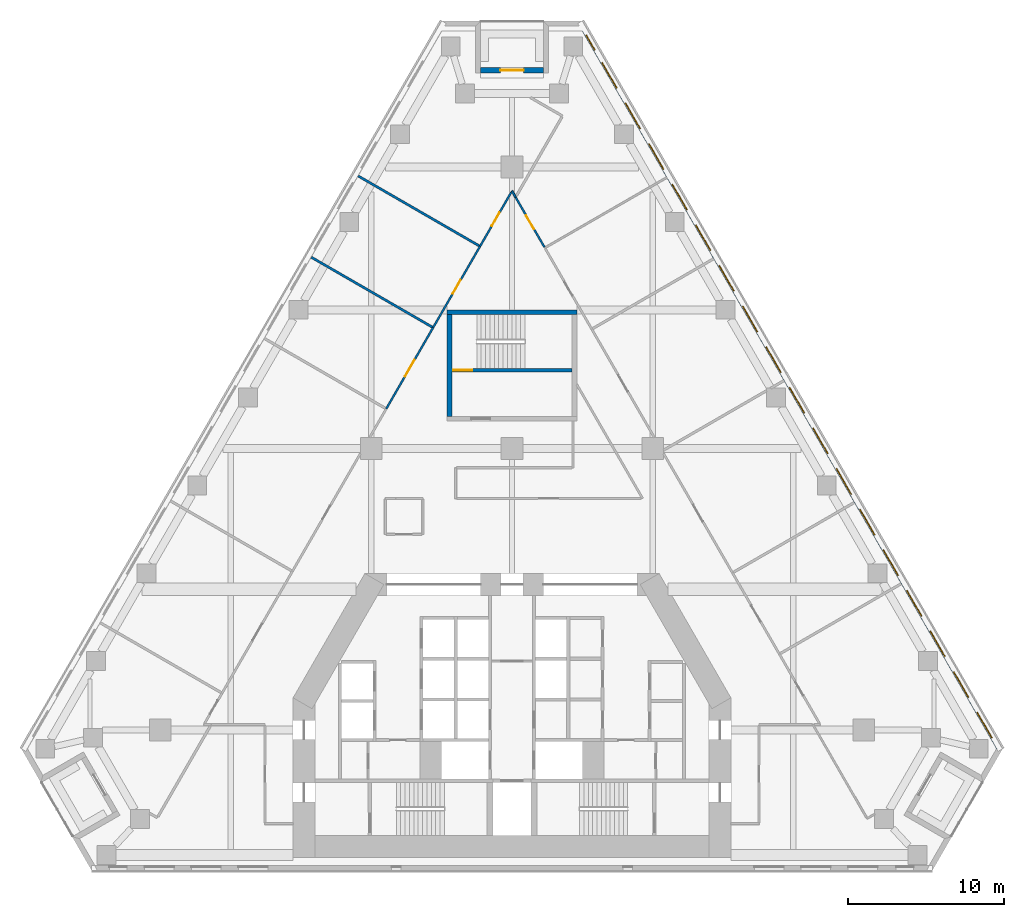
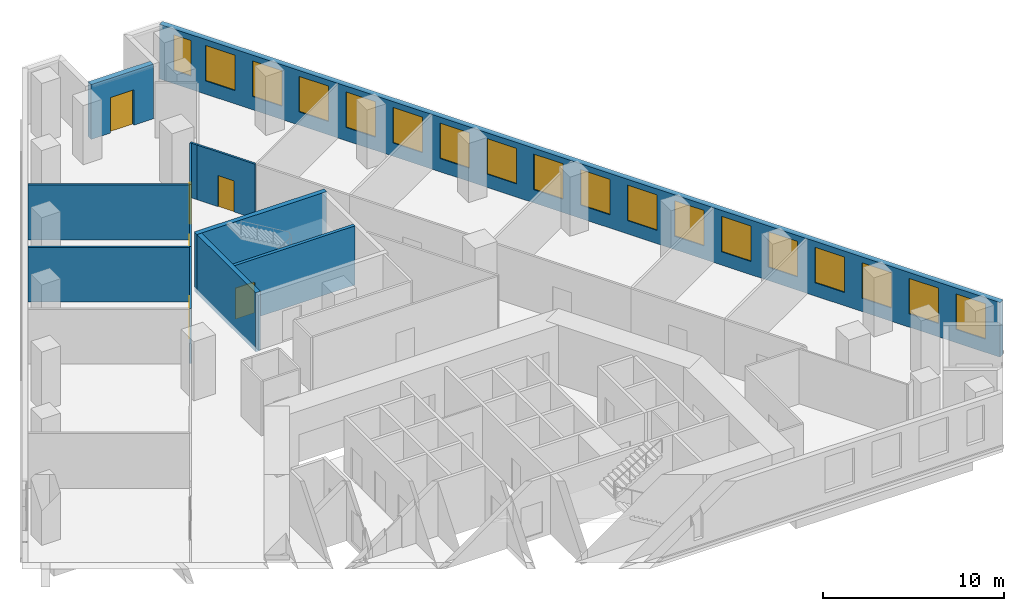
# One storey, part 7 of 9: 18 windows, 12 walls, 6 doors, 24 openings.
"""IFC4 building model written with IfcOpenShell, lengths in metres."""

from ifc_helpers import new_model, si_unit, direction, frame, frame_2d, origin, place, context, subcontext, project, spatial, rectangle, extrude, material, layer, layer_set, type_object, element, fill, save


model = new_model("IFC4")

# Units and contexts
model_context = context("Model", 3, precision=1e-05, world=origin(), true_north=direction((0.0, 1.0)))
body_context = subcontext(model_context, "Body", "Model", "MODEL_VIEW")
ifc_project = project(units=[si_unit("LENGTHUNIT", "METRE"), si_unit("AREAUNIT", "SQUARE_METRE"), si_unit("VOLUMEUNIT", "CUBIC_METRE"), si_unit("PLANEANGLEUNIT", "RADIAN"), si_unit("MASSUNIT", "GRAM", prefix="KILO")], contexts=[model_context])

# Site, building, storey
site_placement = place(None, origin())
site = spatial("IfcSite", under=ifc_project, at=site_placement, CompositionType="ELEMENT")
building_placement = place(site_placement, origin())
building = spatial("IfcBuilding", under=site, at=building_placement, Name="Fogline Exchange Tower", CompositionType="ELEMENT")
storey_placement = place(building_placement, frame((0.0, 0.0, 72.89990234375)))
storey = spatial("IfcBuildingStorey", under=building, at=storey_placement, Name="L15", CompositionType="ELEMENT", Elevation=72.89990234375)

# Wall, opening, door
ifc_material_1 = material(Name="Concrete C40", Category="concrete")
ifc_layer_1 = layer(ifc_material_1, 0.199951171875)
ifc_layer_set_1 = layer_set([ifc_layer_1], Name="CW20R")
wall_type_1 = type_object("IfcWallType", Name="CW20R", PredefinedType="SOLIDWALL", material=ifc_layer_set_1)
wall_1_placement = place(storey_placement, frame((-3.85009765625, 32.007080078125, -0.2998046875), z_axis=(0.0, 0.0, 1.0), x_axis=(1.0, 0.0, 0.0)))
wall_1 = element("IfcWall", 1, at=wall_1_placement, inside=storey, type_object=wall_type_1, Name="Stair enclosure wall ST3", PredefinedType="SOLIDWALL", context=body_context, shape_type="SweptSolid", body=[
    extrude(rectangle(XDim=7.7001953125, YDim=0.199951171875, at=frame_2d((3.85009765625, 0.0))), origin(), (0.0, 0.0, 1.0), 4.0),
])
opening_1_placement = place(wall_1_placement, frame((0.10009765625, 0.0, 0.300048828125)))
opening_1 = element("IfcOpeningElement", 2, at=opening_1_placement, cuts=wall_1, Name="Opening T04-C022", PredefinedType="OPENING", context=body_context, shape_type="SweptSolid", body=[
    extrude(rectangle(XDim=1.199951171875, YDim=2.10009765625, at=frame_2d((0.60009765625, 1.050048828125))), frame((0.0, 0.10986328125, 0.0), z_axis=(0.0, -1.0, 0.0), x_axis=(1.0, 0.0, 0.0)), (0.0, 0.0, 1.0), 0.219970703125),
])
ifc_material_2 = material(Name="Steel and timber fire door", Category="steel")
door_type_1 = type_object("IfcDoorType", Name="D-ST1", OperationType="SINGLE_SWING_LEFT", PredefinedType="DOOR", material=ifc_material_2)
door_1_placement = place(opening_1_placement, origin())
door_1 = element("IfcDoor", 3, at=door_1_placement, inside=storey, type_object=door_type_1, Name="Stair door ST3", OperationType="SINGLE_SWING_LEFT", OverallHeight=2.10009765625, OverallWidth=1.199951171875, PredefinedType="DOOR", context=body_context, shape_type="SweptSolid", body=[
    extrude(rectangle(XDim=1.199951171875, YDim=2.10009765625, at=frame_2d((0.60009765625, 1.050048828125))), frame((0.0, 0.02490234375, 0.0), z_axis=(0.0, -1.0, 0.0), x_axis=(1.0, 0.0, 0.0)), (0.0, 0.0, 1.0), 0.050048828125),
])
fill(opening_1, door_1)

# Walls
ifc_layer_2 = layer(ifc_material_1, 0.300048828125)
ifc_layer_set_2 = layer_set([ifc_layer_2], Name="CW30")
wall_type_2 = type_object("IfcWallType", Name="CW30", PredefinedType="SOLIDWALL", material=ifc_layer_set_2)
wall_2_placement = place(storey_placement, frame((-4.14990234375, 35.70703125, -0.2998046875), z_axis=(0.0, 0.0, 1.0), x_axis=(1.0, 0.0, 0.0)))
element("IfcWall", 4, at=wall_2_placement, inside=storey, type_object=wall_type_2, Name="Stair enclosure wall ST3", PredefinedType="SOLIDWALL", context=body_context, shape_type="SweptSolid", body=[
    extrude(rectangle(XDim=8.2998046875, YDim=0.300048828125, at=frame_2d((4.14990234375, 0.0))), origin(), (0.0, 0.0, 1.0), 4.0),
])
wall_3_placement = place(storey_placement, frame((-4.0, 29.056884765625, -0.2998046875), z_axis=(0.0, 0.0, 1.0), x_axis=(0.0, 1.0, 0.0)))
element("IfcWall", 5, at=wall_3_placement, inside=storey, type_object=wall_type_2, Name="Stair enclosure wall ST3", PredefinedType="SOLIDWALL", context=body_context, shape_type="SweptSolid", body=[
    extrude(rectangle(XDim=6.5, YDim=0.300048828125, at=frame_2d((3.25, 0.0))), origin(), (0.0, 0.0, 1.0), 4.0),
])

# Wall, openings, windows
ifc_material_3 = material(Name="Brick masonry", Category="masonry")
ifc_layer_3 = layer(ifc_material_3, 0.340087890625)
ifc_layer_set_3 = layer_set([ifc_layer_3], Name="FW1")
wall_type_3 = type_object("IfcWallType", Name="FW1", PredefinedType="SOLIDWALL", material=ifc_layer_set_3)
wall_4_placement = place(storey_placement, frame((31.235595703125, 7.709228515625, 0.0), z_axis=(0.0, 0.0, 1.0), x_axis=(-0.499999171277, 0.866025882247, 0.0)))
wall_4 = element("IfcWall", 6, at=wall_4_placement, inside=storey, type_object=wall_type_3, Name="Brick wall L15 E", PredefinedType="SOLIDWALL", context=body_context, shape_type="SweptSolid", body=[
    extrude(rectangle(XDim=53.765625, YDim=0.340087890625, at=frame_2d((26.8828125, 0.0))), origin(), (0.0, 0.0, 1.0), 3.7001953125),
])
opening_2_placement = place(wall_4_placement, frame((0.94140625, 0.0, 0.89990234375)))
opening_2 = element("IfcOpeningElement", 7, at=opening_2_placement, cuts=wall_4, Name="Opening W1", PredefinedType="OPENING", context=body_context, shape_type="SweptSolid", body=[
    extrude(rectangle(XDim=1.885009765625, YDim=2.39990234375, at=frame_2d((0.9423828125, 1.199951171875))), frame((0.0, 0.18017578125, 0.0), z_axis=(0.0, -1.0, 0.0), x_axis=(1.0, 0.0, 0.0)), (0.0, 0.0, 1.0), 0.360107421875),
])
opening_3_placement = place(wall_4_placement, frame((3.94140625, 0.0, 0.89990234375)))
opening_3 = element("IfcOpeningElement", 8, at=opening_3_placement, cuts=wall_4, Name="Opening W1", PredefinedType="OPENING", context=body_context, shape_type="SweptSolid", body=[
    extrude(rectangle(XDim=1.885009765625, YDim=2.39990234375, at=frame_2d((0.9423828125, 1.199951171875))), frame((0.0, 0.18017578125, 0.0), z_axis=(0.0, -1.0, 0.0), x_axis=(1.0, 0.0, 0.0)), (0.0, 0.0, 1.0), 0.360107421875),
])
opening_4_placement = place(wall_4_placement, frame((6.94140625, 0.0, 0.89990234375)))
opening_4 = element("IfcOpeningElement", 9, at=opening_4_placement, cuts=wall_4, Name="Opening W1", PredefinedType="OPENING", context=body_context, shape_type="SweptSolid", body=[
    extrude(rectangle(XDim=1.885009765625, YDim=2.39990234375, at=frame_2d((0.9423828125, 1.199951171875))), frame((0.0, 0.18017578125, 0.0), z_axis=(0.0, -1.0, 0.0), x_axis=(1.0, 0.0, 0.0)), (0.0, 0.0, 1.0), 0.360107421875),
])
opening_5_placement = place(wall_4_placement, frame((9.94140625, 0.0, 0.89990234375)))
opening_5 = element("IfcOpeningElement", 10, at=opening_5_placement, cuts=wall_4, Name="Opening W1", PredefinedType="OPENING", context=body_context, shape_type="SweptSolid", body=[
    extrude(rectangle(XDim=1.885009765625, YDim=2.39990234375, at=frame_2d((0.9423828125, 1.199951171875))), frame((0.0, 0.18017578125, 0.0), z_axis=(0.0, -1.0, 0.0), x_axis=(1.0, 0.0, 0.0)), (0.0, 0.0, 1.0), 0.360107421875),
])
opening_6_placement = place(wall_4_placement, frame((12.94140625, 0.0, 0.89990234375)))
opening_6 = element("IfcOpeningElement", 11, at=opening_6_placement, cuts=wall_4, Name="Opening W1", PredefinedType="OPENING", context=body_context, shape_type="SweptSolid", body=[
    extrude(rectangle(XDim=1.885009765625, YDim=2.39990234375, at=frame_2d((0.9423828125, 1.199951171875))), frame((0.0, 0.18017578125, 0.0), z_axis=(0.0, -1.0, 0.0), x_axis=(1.0, 0.0, 0.0)), (0.0, 0.0, 1.0), 0.360107421875),
])
opening_7_placement = place(wall_4_placement, frame((15.94140625, 0.0, 0.89990234375)))
opening_7 = element("IfcOpeningElement", 12, at=opening_7_placement, cuts=wall_4, Name="Opening W1", PredefinedType="OPENING", context=body_context, shape_type="SweptSolid", body=[
    extrude(rectangle(XDim=1.885009765625, YDim=2.39990234375, at=frame_2d((0.9423828125, 1.199951171875))), frame((0.0, 0.18017578125, 0.0), z_axis=(0.0, -1.0, 0.0), x_axis=(1.0, 0.0, 0.0)), (0.0, 0.0, 1.0), 0.360107421875),
])
opening_8_placement = place(wall_4_placement, frame((18.94140625, 0.0, 0.89990234375)))
opening_8 = element("IfcOpeningElement", 13, at=opening_8_placement, cuts=wall_4, Name="Opening W1", PredefinedType="OPENING", context=body_context, shape_type="SweptSolid", body=[
    extrude(rectangle(XDim=1.885009765625, YDim=2.39990234375, at=frame_2d((0.9423828125, 1.199951171875))), frame((0.0, 0.18017578125, 0.0), z_axis=(0.0, -1.0, 0.0), x_axis=(1.0, 0.0, 0.0)), (0.0, 0.0, 1.0), 0.360107421875),
])
opening_9_placement = place(wall_4_placement, frame((21.94140625, 0.0, 0.89990234375)))
opening_9 = element("IfcOpeningElement", 14, at=opening_9_placement, cuts=wall_4, Name="Opening W1", PredefinedType="OPENING", context=body_context, shape_type="SweptSolid", body=[
    extrude(rectangle(XDim=1.885009765625, YDim=2.39990234375, at=frame_2d((0.9423828125, 1.199951171875))), frame((0.0, 0.18017578125, 0.0), z_axis=(0.0, -1.0, 0.0), x_axis=(1.0, 0.0, 0.0)), (0.0, 0.0, 1.0), 0.360107421875),
])
opening_10_placement = place(wall_4_placement, frame((24.94140625, 0.0, 0.89990234375)))
opening_10 = element("IfcOpeningElement", 15, at=opening_10_placement, cuts=wall_4, Name="Opening W1", PredefinedType="OPENING", context=body_context, shape_type="SweptSolid", body=[
    extrude(rectangle(XDim=1.885009765625, YDim=2.39990234375, at=frame_2d((0.9423828125, 1.199951171875))), frame((0.0, 0.18017578125, 0.0), z_axis=(0.0, -1.0, 0.0), x_axis=(1.0, 0.0, 0.0)), (0.0, 0.0, 1.0), 0.360107421875),
])
opening_11_placement = place(wall_4_placement, frame((27.94140625, 0.0, 0.89990234375)))
opening_11 = element("IfcOpeningElement", 16, at=opening_11_placement, cuts=wall_4, Name="Opening W1", PredefinedType="OPENING", context=body_context, shape_type="SweptSolid", body=[
    extrude(rectangle(XDim=1.885009765625, YDim=2.39990234375, at=frame_2d((0.9423828125, 1.199951171875))), frame((0.0, 0.18017578125, 0.0), z_axis=(0.0, -1.0, 0.0), x_axis=(1.0, 0.0, 0.0)), (0.0, 0.0, 1.0), 0.360107421875),
])
opening_12_placement = place(wall_4_placement, frame((30.94140625, 0.0, 0.89990234375)))
opening_12 = element("IfcOpeningElement", 17, at=opening_12_placement, cuts=wall_4, Name="Opening W1", PredefinedType="OPENING", context=body_context, shape_type="SweptSolid", body=[
    extrude(rectangle(XDim=1.885009765625, YDim=2.39990234375, at=frame_2d((0.9423828125, 1.199951171875))), frame((0.0, 0.18017578125, 0.0), z_axis=(0.0, -1.0, 0.0), x_axis=(1.0, 0.0, 0.0)), (0.0, 0.0, 1.0), 0.360107421875),
])
opening_13_placement = place(wall_4_placement, frame((33.94140625, 0.0, 0.89990234375)))
opening_13 = element("IfcOpeningElement", 18, at=opening_13_placement, cuts=wall_4, Name="Opening W1", PredefinedType="OPENING", context=body_context, shape_type="SweptSolid", body=[
    extrude(rectangle(XDim=1.885009765625, YDim=2.39990234375, at=frame_2d((0.9423828125, 1.199951171875))), frame((0.0, 0.18017578125, 0.0), z_axis=(0.0, -1.0, 0.0), x_axis=(1.0, 0.0, 0.0)), (0.0, 0.0, 1.0), 0.360107421875),
])
opening_14_placement = place(wall_4_placement, frame((36.94140625, 0.0, 0.89990234375)))
opening_14 = element("IfcOpeningElement", 19, at=opening_14_placement, cuts=wall_4, Name="Opening W1", PredefinedType="OPENING", context=body_context, shape_type="SweptSolid", body=[
    extrude(rectangle(XDim=1.885009765625, YDim=2.39990234375, at=frame_2d((0.9423828125, 1.199951171875))), frame((0.0, 0.18017578125, 0.0), z_axis=(0.0, -1.0, 0.0), x_axis=(1.0, 0.0, 0.0)), (0.0, 0.0, 1.0), 0.360107421875),
])
opening_15_placement = place(wall_4_placement, frame((39.94140625, 0.0, 0.89990234375)))
opening_15 = element("IfcOpeningElement", 20, at=opening_15_placement, cuts=wall_4, Name="Opening W1", PredefinedType="OPENING", context=body_context, shape_type="SweptSolid", body=[
    extrude(rectangle(XDim=1.885009765625, YDim=2.39990234375, at=frame_2d((0.9423828125, 1.199951171875))), frame((0.0, 0.18017578125, 0.0), z_axis=(0.0, -1.0, 0.0), x_axis=(1.0, 0.0, 0.0)), (0.0, 0.0, 1.0), 0.360107421875),
])
opening_16_placement = place(wall_4_placement, frame((42.94140625, 0.0, 0.89990234375)))
opening_16 = element("IfcOpeningElement", 21, at=opening_16_placement, cuts=wall_4, Name="Opening W1", PredefinedType="OPENING", context=body_context, shape_type="SweptSolid", body=[
    extrude(rectangle(XDim=1.885009765625, YDim=2.39990234375, at=frame_2d((0.9423828125, 1.199951171875))), frame((0.0, 0.18017578125, 0.0), z_axis=(0.0, -1.0, 0.0), x_axis=(1.0, 0.0, 0.0)), (0.0, 0.0, 1.0), 0.360107421875),
])
opening_17_placement = place(wall_4_placement, frame((45.94140625, 0.0, 0.89990234375)))
opening_17 = element("IfcOpeningElement", 22, at=opening_17_placement, cuts=wall_4, Name="Opening W1", PredefinedType="OPENING", context=body_context, shape_type="SweptSolid", body=[
    extrude(rectangle(XDim=1.885009765625, YDim=2.39990234375, at=frame_2d((0.9423828125, 1.199951171875))), frame((0.0, 0.18017578125, 0.0), z_axis=(0.0, -1.0, 0.0), x_axis=(1.0, 0.0, 0.0)), (0.0, 0.0, 1.0), 0.360107421875),
])
opening_18_placement = place(wall_4_placement, frame((48.94140625, 0.0, 0.89990234375)))
opening_18 = element("IfcOpeningElement", 23, at=opening_18_placement, cuts=wall_4, Name="Opening W1", PredefinedType="OPENING", context=body_context, shape_type="SweptSolid", body=[
    extrude(rectangle(XDim=1.885009765625, YDim=2.39990234375, at=frame_2d((0.9423828125, 1.199951171875))), frame((0.0, 0.18017578125, 0.0), z_axis=(0.0, -1.0, 0.0), x_axis=(1.0, 0.0, 0.0)), (0.0, 0.0, 1.0), 0.360107421875),
])
opening_19_placement = place(wall_4_placement, frame((51.738525390625, 0.0, 0.89990234375)))
opening_19 = element("IfcOpeningElement", 24, at=opening_19_placement, cuts=wall_4, Name="Opening W4", PredefinedType="OPENING", context=body_context, shape_type="SweptSolid", body=[
    extrude(rectangle(XDim=1.114990234375, YDim=2.39990234375, at=frame_2d((0.5576171875, 1.199951171875))), frame((0.0, 0.18017578125, 0.0), z_axis=(0.0, -1.0, 0.0), x_axis=(1.0, 0.0, 0.0)), (0.0, 0.0, 1.0), 0.360107421875),
])
ifc_material_4 = material(Name="Aluminium and glass", Category="aluminium")
window_type_1 = type_object("IfcWindowType", Name="W1", PartitioningType="SINGLE_PANEL", PredefinedType="WINDOW", material=ifc_material_4)
window_1_placement = place(opening_2_placement, origin())
window_1 = element("IfcWindow", 25, at=window_1_placement, inside=storey, type_object=window_type_1, Name="W1 W1", OverallHeight=2.39990234375, OverallWidth=1.885009765625, PartitioningType="SINGLE_PANEL", PredefinedType="WINDOW", context=body_context, shape_type="SweptSolid", body=[
    extrude(rectangle(XDim=1.885009765625, YDim=2.39990234375, at=frame_2d((0.9423828125, 1.199951171875))), frame((0.0, 0.110107421875, 0.0), z_axis=(0.0, -1.0, 0.0), x_axis=(1.0, 0.0, 0.0)), (0.0, 0.0, 1.0), 0.06005859375),
])
fill(opening_2, window_1)
window_2_placement = place(opening_3_placement, origin())
window_2 = element("IfcWindow", 26, at=window_2_placement, inside=storey, type_object=window_type_1, Name="W1 W1", OverallHeight=2.39990234375, OverallWidth=1.885009765625, PartitioningType="SINGLE_PANEL", PredefinedType="WINDOW", context=body_context, shape_type="SweptSolid", body=[
    extrude(rectangle(XDim=1.885009765625, YDim=2.39990234375, at=frame_2d((0.9423828125, 1.199951171875))), frame((0.0, 0.110107421875, 0.0), z_axis=(0.0, -1.0, 0.0), x_axis=(1.0, 0.0, 0.0)), (0.0, 0.0, 1.0), 0.06005859375),
])
fill(opening_3, window_2)
window_3_placement = place(opening_4_placement, origin())
window_3 = element("IfcWindow", 27, at=window_3_placement, inside=storey, type_object=window_type_1, Name="W1 W1", OverallHeight=2.39990234375, OverallWidth=1.885009765625, PartitioningType="SINGLE_PANEL", PredefinedType="WINDOW", context=body_context, shape_type="SweptSolid", body=[
    extrude(rectangle(XDim=1.885009765625, YDim=2.39990234375, at=frame_2d((0.9423828125, 1.199951171875))), frame((0.0, 0.110107421875, 0.0), z_axis=(0.0, -1.0, 0.0), x_axis=(1.0, 0.0, 0.0)), (0.0, 0.0, 1.0), 0.06005859375),
])
fill(opening_4, window_3)
window_4_placement = place(opening_5_placement, origin())
window_4 = element("IfcWindow", 28, at=window_4_placement, inside=storey, type_object=window_type_1, Name="W1 W1", OverallHeight=2.39990234375, OverallWidth=1.885009765625, PartitioningType="SINGLE_PANEL", PredefinedType="WINDOW", context=body_context, shape_type="SweptSolid", body=[
    extrude(rectangle(XDim=1.885009765625, YDim=2.39990234375, at=frame_2d((0.9423828125, 1.199951171875))), frame((0.0, 0.110107421875, 0.0), z_axis=(0.0, -1.0, 0.0), x_axis=(1.0, 0.0, 0.0)), (0.0, 0.0, 1.0), 0.06005859375),
])
fill(opening_5, window_4)
window_5_placement = place(opening_6_placement, origin())
window_5 = element("IfcWindow", 29, at=window_5_placement, inside=storey, type_object=window_type_1, Name="W1 W1", OverallHeight=2.39990234375, OverallWidth=1.885009765625, PartitioningType="SINGLE_PANEL", PredefinedType="WINDOW", context=body_context, shape_type="SweptSolid", body=[
    extrude(rectangle(XDim=1.885009765625, YDim=2.39990234375, at=frame_2d((0.9423828125, 1.199951171875))), frame((0.0, 0.110107421875, 0.0), z_axis=(0.0, -1.0, 0.0), x_axis=(1.0, 0.0, 0.0)), (0.0, 0.0, 1.0), 0.06005859375),
])
fill(opening_6, window_5)
window_6_placement = place(opening_7_placement, origin())
window_6 = element("IfcWindow", 30, at=window_6_placement, inside=storey, type_object=window_type_1, Name="W1 W1", OverallHeight=2.39990234375, OverallWidth=1.885009765625, PartitioningType="SINGLE_PANEL", PredefinedType="WINDOW", context=body_context, shape_type="SweptSolid", body=[
    extrude(rectangle(XDim=1.885009765625, YDim=2.39990234375, at=frame_2d((0.9423828125, 1.199951171875))), frame((0.0, 0.110107421875, 0.0), z_axis=(0.0, -1.0, 0.0), x_axis=(1.0, 0.0, 0.0)), (0.0, 0.0, 1.0), 0.06005859375),
])
fill(opening_7, window_6)
window_7_placement = place(opening_8_placement, origin())
window_7 = element("IfcWindow", 31, at=window_7_placement, inside=storey, type_object=window_type_1, Name="W1 W1", OverallHeight=2.39990234375, OverallWidth=1.885009765625, PartitioningType="SINGLE_PANEL", PredefinedType="WINDOW", context=body_context, shape_type="SweptSolid", body=[
    extrude(rectangle(XDim=1.885009765625, YDim=2.39990234375, at=frame_2d((0.9423828125, 1.199951171875))), frame((0.0, 0.110107421875, 0.0), z_axis=(0.0, -1.0, 0.0), x_axis=(1.0, 0.0, 0.0)), (0.0, 0.0, 1.0), 0.06005859375),
])
fill(opening_8, window_7)
window_8_placement = place(opening_9_placement, origin())
window_8 = element("IfcWindow", 32, at=window_8_placement, inside=storey, type_object=window_type_1, Name="W1 W1", OverallHeight=2.39990234375, OverallWidth=1.885009765625, PartitioningType="SINGLE_PANEL", PredefinedType="WINDOW", context=body_context, shape_type="SweptSolid", body=[
    extrude(rectangle(XDim=1.885009765625, YDim=2.39990234375, at=frame_2d((0.9423828125, 1.199951171875))), frame((0.0, 0.110107421875, 0.0), z_axis=(0.0, -1.0, 0.0), x_axis=(1.0, 0.0, 0.0)), (0.0, 0.0, 1.0), 0.06005859375),
])
fill(opening_9, window_8)
window_9_placement = place(opening_10_placement, origin())
window_9 = element("IfcWindow", 33, at=window_9_placement, inside=storey, type_object=window_type_1, Name="W1 W1", OverallHeight=2.39990234375, OverallWidth=1.885009765625, PartitioningType="SINGLE_PANEL", PredefinedType="WINDOW", context=body_context, shape_type="SweptSolid", body=[
    extrude(rectangle(XDim=1.885009765625, YDim=2.39990234375, at=frame_2d((0.9423828125, 1.199951171875))), frame((0.0, 0.110107421875, 0.0), z_axis=(0.0, -1.0, 0.0), x_axis=(1.0, 0.0, 0.0)), (0.0, 0.0, 1.0), 0.06005859375),
])
fill(opening_10, window_9)
window_10_placement = place(opening_11_placement, origin())
window_10 = element("IfcWindow", 34, at=window_10_placement, inside=storey, type_object=window_type_1, Name="W1 W1", OverallHeight=2.39990234375, OverallWidth=1.885009765625, PartitioningType="SINGLE_PANEL", PredefinedType="WINDOW", context=body_context, shape_type="SweptSolid", body=[
    extrude(rectangle(XDim=1.885009765625, YDim=2.39990234375, at=frame_2d((0.9423828125, 1.199951171875))), frame((0.0, 0.110107421875, 0.0), z_axis=(0.0, -1.0, 0.0), x_axis=(1.0, 0.0, 0.0)), (0.0, 0.0, 1.0), 0.06005859375),
])
fill(opening_11, window_10)
window_11_placement = place(opening_12_placement, origin())
window_11 = element("IfcWindow", 35, at=window_11_placement, inside=storey, type_object=window_type_1, Name="W1 W1", OverallHeight=2.39990234375, OverallWidth=1.885009765625, PartitioningType="SINGLE_PANEL", PredefinedType="WINDOW", context=body_context, shape_type="SweptSolid", body=[
    extrude(rectangle(XDim=1.885009765625, YDim=2.39990234375, at=frame_2d((0.9423828125, 1.199951171875))), frame((0.0, 0.110107421875, 0.0), z_axis=(0.0, -1.0, 0.0), x_axis=(1.0, 0.0, 0.0)), (0.0, 0.0, 1.0), 0.06005859375),
])
fill(opening_12, window_11)
window_12_placement = place(opening_13_placement, origin())
window_12 = element("IfcWindow", 36, at=window_12_placement, inside=storey, type_object=window_type_1, Name="W1 W1", OverallHeight=2.39990234375, OverallWidth=1.885009765625, PartitioningType="SINGLE_PANEL", PredefinedType="WINDOW", context=body_context, shape_type="SweptSolid", body=[
    extrude(rectangle(XDim=1.885009765625, YDim=2.39990234375, at=frame_2d((0.9423828125, 1.199951171875))), frame((0.0, 0.110107421875, 0.0), z_axis=(0.0, -1.0, 0.0), x_axis=(1.0, 0.0, 0.0)), (0.0, 0.0, 1.0), 0.06005859375),
])
fill(opening_13, window_12)
window_13_placement = place(opening_14_placement, origin())
window_13 = element("IfcWindow", 37, at=window_13_placement, inside=storey, type_object=window_type_1, Name="W1 W1", OverallHeight=2.39990234375, OverallWidth=1.885009765625, PartitioningType="SINGLE_PANEL", PredefinedType="WINDOW", context=body_context, shape_type="SweptSolid", body=[
    extrude(rectangle(XDim=1.885009765625, YDim=2.39990234375, at=frame_2d((0.9423828125, 1.199951171875))), frame((0.0, 0.110107421875, 0.0), z_axis=(0.0, -1.0, 0.0), x_axis=(1.0, 0.0, 0.0)), (0.0, 0.0, 1.0), 0.06005859375),
])
fill(opening_14, window_13)
window_14_placement = place(opening_15_placement, origin())
window_14 = element("IfcWindow", 38, at=window_14_placement, inside=storey, type_object=window_type_1, Name="W1 W1", OverallHeight=2.39990234375, OverallWidth=1.885009765625, PartitioningType="SINGLE_PANEL", PredefinedType="WINDOW", context=body_context, shape_type="SweptSolid", body=[
    extrude(rectangle(XDim=1.885009765625, YDim=2.39990234375, at=frame_2d((0.9423828125, 1.199951171875))), frame((0.0, 0.110107421875, 0.0), z_axis=(0.0, -1.0, 0.0), x_axis=(1.0, 0.0, 0.0)), (0.0, 0.0, 1.0), 0.06005859375),
])
fill(opening_15, window_14)
window_15_placement = place(opening_16_placement, origin())
window_15 = element("IfcWindow", 39, at=window_15_placement, inside=storey, type_object=window_type_1, Name="W1 W1", OverallHeight=2.39990234375, OverallWidth=1.885009765625, PartitioningType="SINGLE_PANEL", PredefinedType="WINDOW", context=body_context, shape_type="SweptSolid", body=[
    extrude(rectangle(XDim=1.885009765625, YDim=2.39990234375, at=frame_2d((0.9423828125, 1.199951171875))), frame((0.0, 0.110107421875, 0.0), z_axis=(0.0, -1.0, 0.0), x_axis=(1.0, 0.0, 0.0)), (0.0, 0.0, 1.0), 0.06005859375),
])
fill(opening_16, window_15)
window_16_placement = place(opening_17_placement, origin())
window_16 = element("IfcWindow", 40, at=window_16_placement, inside=storey, type_object=window_type_1, Name="W1 W1", OverallHeight=2.39990234375, OverallWidth=1.885009765625, PartitioningType="SINGLE_PANEL", PredefinedType="WINDOW", context=body_context, shape_type="SweptSolid", body=[
    extrude(rectangle(XDim=1.885009765625, YDim=2.39990234375, at=frame_2d((0.9423828125, 1.199951171875))), frame((0.0, 0.110107421875, 0.0), z_axis=(0.0, -1.0, 0.0), x_axis=(1.0, 0.0, 0.0)), (0.0, 0.0, 1.0), 0.06005859375),
])
fill(opening_17, window_16)
window_17_placement = place(opening_18_placement, origin())
window_17 = element("IfcWindow", 41, at=window_17_placement, inside=storey, type_object=window_type_1, Name="W1 W1", OverallHeight=2.39990234375, OverallWidth=1.885009765625, PartitioningType="SINGLE_PANEL", PredefinedType="WINDOW", context=body_context, shape_type="SweptSolid", body=[
    extrude(rectangle(XDim=1.885009765625, YDim=2.39990234375, at=frame_2d((0.9423828125, 1.199951171875))), frame((0.0, 0.110107421875, 0.0), z_axis=(0.0, -1.0, 0.0), x_axis=(1.0, 0.0, 0.0)), (0.0, 0.0, 1.0), 0.06005859375),
])
fill(opening_18, window_17)
window_type_2 = type_object("IfcWindowType", Name="W4", PartitioningType="SINGLE_PANEL", PredefinedType="WINDOW", material=ifc_material_4)
window_18_placement = place(opening_19_placement, origin())
window_18 = element("IfcWindow", 42, at=window_18_placement, inside=storey, type_object=window_type_2, Name="W4 W4", OverallHeight=2.39990234375, OverallWidth=1.114990234375, PartitioningType="SINGLE_PANEL", PredefinedType="WINDOW", context=body_context, shape_type="SweptSolid", body=[
    extrude(rectangle(XDim=1.114990234375, YDim=2.39990234375, at=frame_2d((0.5576171875, 1.199951171875))), frame((0.0, 0.110107421875, 0.0), z_axis=(0.0, -1.0, 0.0), x_axis=(1.0, 0.0, 0.0)), (0.0, 0.0, 1.0), 0.06005859375),
])
fill(opening_19, window_18)

# Wall, opening, door
wall_5_placement = place(storey_placement, frame((2.0, 51.186767578125, 0.0), z_axis=(0.0, 0.0, 1.0), x_axis=(-1.0, 0.0, 0.0)))
wall_5 = element("IfcWall", 43, at=wall_5_placement, inside=storey, type_object=wall_type_3, Name="Brick wall L15 N-bk", PredefinedType="SOLIDWALL", context=body_context, shape_type="SweptSolid", body=[
    extrude(rectangle(XDim=4.0, YDim=0.340087890625, at=frame_2d((2.0, 0.0))), origin(), (0.0, 0.0, 1.0), 3.7001953125),
])
opening_20_placement = place(wall_5_placement, frame((1.25, 0.0, 0.0)))
opening_20 = element("IfcOpeningElement", 44, at=opening_20_placement, cuts=wall_5, Name="Opening T04-E141", PredefinedType="OPENING", context=body_context, shape_type="SweptSolid", body=[
    extrude(rectangle(XDim=1.5, YDim=2.39990234375, at=frame_2d((0.75, 1.199951171875))), frame((0.0, 0.18017578125, 0.0), z_axis=(0.0, -1.0, 0.0), x_axis=(1.0, 0.0, 0.0)), (0.0, 0.0, 1.0), 0.360107421875),
])
door_type_2 = type_object("IfcDoorType", Name="ED4", OperationType="SINGLE_SWING_LEFT", PredefinedType="DOOR", material=ifc_material_4)
door_2_placement = place(opening_20_placement, frame((1.5, 0.0, 0.0), z_axis=(0.0, 0.0, 1.0), x_axis=(-1.0, 0.0, 0.0)))
door_2 = element("IfcDoor", 45, at=door_2_placement, inside=storey, type_object=door_type_2, Name="Balcony door L15 N", OperationType="DOUBLE_DOOR_SINGLE_SWING", OverallHeight=2.39990234375, OverallWidth=1.5, PredefinedType="DOOR", context=body_context, shape_type="SweptSolid", body=[
    extrude(rectangle(XDim=1.5, YDim=2.39990234375, at=frame_2d((0.75, 1.199951171875))), frame((0.0, 0.02490234375, 0.0), z_axis=(0.0, -1.0, 0.0), x_axis=(1.0, 0.0, 0.0)), (0.0, 0.0, 1.0), 0.050048828125),
])
fill(opening_20, door_2)

ifc_material_5 = material(Name="Plasterboard corridor partition with mineral wool, 2 layers each side")
ifc_layer_4 = layer(ifc_material_5, 0.125)
ifc_layer_set_4 = layer_set([ifc_layer_4], Name="PW2")
wall_type_4 = type_object("IfcWallType", Name="PW2", PredefinedType="PARTITIONING", material=ifc_layer_set_4)
wall_6_placement = place(storey_placement, frame((0.23095703125, 43.07080078125, 0.0), z_axis=(0.0, 0.0, 1.0), x_axis=(0.500001035316, -0.866024806044, 0.0)))
wall_6 = element("IfcWall", 46, at=wall_6_placement, inside=storey, type_object=wall_type_4, Name="wall-L15-W013", PredefinedType="PARTITIONING", context=body_context, shape_type="SweptSolid", body=[
    extrude(rectangle(XDim=3.69189453125, YDim=0.125, at=frame_2d((1.845947265625, 0.0))), origin(), (0.0, 0.0, 1.0), 3.7001953125),
])
opening_21_placement = place(wall_6_placement, frame((1.345947265625, 0.0, 0.0)))
opening_21 = element("IfcOpeningElement", 47, at=opening_21_placement, cuts=wall_6, Name="Opening T04-D008", PredefinedType="OPENING", context=body_context, shape_type="SweptSolid", body=[
    extrude(rectangle(XDim=1.0, YDim=2.10009765625, at=frame_2d((0.5, 1.050048828125))), frame((0.0, 0.072509765625, 0.0), z_axis=(0.0, -1.0, 0.0), x_axis=(1.0, 0.0, 0.0)), (0.0, 0.0, 1.0), 0.14501953125),
])
ifc_material_6 = material(Name="Fire-rated timber door leaf with steel frame", Category="steel")
door_type_3 = type_object("IfcDoorType", Name="D3", OperationType="SINGLE_SWING_LEFT", PredefinedType="DOOR", material=ifc_material_6)
door_3_placement = place(opening_21_placement, origin())
door_3 = element("IfcDoor", 48, at=door_3_placement, inside=storey, type_object=door_type_3, Name="door-L15-D008", OperationType="SINGLE_SWING_LEFT", OverallHeight=2.10009765625, OverallWidth=1.0, PredefinedType="DOOR", context=body_context, shape_type="SweptSolid", body=[
    extrude(rectangle(XDim=1.0, YDim=2.10009765625, at=frame_2d((0.5, 1.050048828125))), frame((0.0, 0.02490234375, 0.0), z_axis=(0.0, -1.0, 0.0), x_axis=(1.0, 0.0, 0.0)), (0.0, 0.0, 1.0), 0.050048828125),
])
fill(opening_21, door_3)

wall_7_placement = place(storey_placement, frame((-2.044677734375, 39.929443359375, 0.0), z_axis=(0.0, 0.0, 1.0), x_axis=(0.499991453095, 0.866030338286, 0.0)))
wall_7 = element("IfcWall", 49, at=wall_7_placement, inside=storey, type_object=wall_type_4, Name="wall-L15-W014", PredefinedType="PARTITIONING", context=body_context, shape_type="SweptSolid", body=[
    extrude(rectangle(XDim=3.98046875, YDim=0.125, at=frame_2d((1.990234375, 0.0))), origin(), (0.0, 0.0, 1.0), 3.7001953125),
])
opening_22_placement = place(wall_7_placement, frame((1.490234375, 0.0, 0.0)))
opening_22 = element("IfcOpeningElement", 50, at=opening_22_placement, cuts=wall_7, Name="Opening T04-D009", PredefinedType="OPENING", context=body_context, shape_type="SweptSolid", body=[
    extrude(rectangle(XDim=1.0, YDim=2.10009765625, at=frame_2d((0.5, 1.050048828125))), frame((0.0, 0.072509765625, 0.0), z_axis=(0.0, -1.0, 0.0), x_axis=(1.0, 0.0, 0.0)), (0.0, 0.0, 1.0), 0.14501953125),
])
door_4_placement = place(opening_22_placement, origin())
door_4 = element("IfcDoor", 51, at=door_4_placement, inside=storey, type_object=door_type_3, Name="door-L15-D009", OperationType="SINGLE_SWING_RIGHT", OverallHeight=2.10009765625, OverallWidth=1.0, PredefinedType="DOOR", context=body_context, shape_type="SweptSolid", body=[
    extrude(rectangle(XDim=1.0, YDim=2.10009765625, at=frame_2d((0.5, 1.050048828125))), frame((0.0, 0.02490234375, 0.0), z_axis=(0.0, -1.0, 0.0), x_axis=(1.0, 0.0, 0.0)), (0.0, 0.0, 1.0), 0.050048828125),
])
fill(opening_22, door_4)

# Wall
wall_8_placement = place(storey_placement, frame((0.0, 43.470947265625, 0.0), z_axis=(0.0, 0.0, 1.0), x_axis=(0.499890179513, -0.866088799389, 0.0)))
element("IfcWall", 52, at=wall_8_placement, inside=storey, type_object=wall_type_4, Name="wall-L15-W015", PredefinedType="PARTITIONING", context=body_context, shape_type="SweptSolid", body=[
    extrude(rectangle(XDim=0.4619140625, YDim=0.125, at=frame_2d((0.23095703125, 0.0))), origin(), (0.0, 0.0, 1.0), 3.7001953125),
])

# Wall, opening, door
wall_9_placement = place(storey_placement, frame((-5.044677734375, 34.733154296875, 0.0), z_axis=(0.0, 0.0, 1.0), x_axis=(0.499990139034, 0.866031096941, 0.0)))
wall_9 = element("IfcWall", 53, at=wall_9_placement, inside=storey, type_object=wall_type_4, Name="wall-L15-W016", PredefinedType="PARTITIONING", context=body_context, shape_type="SweptSolid", body=[
    extrude(rectangle(XDim=6.0, YDim=0.125, at=frame_2d((3.0, 0.0))), origin(), (0.0, 0.0, 1.0), 3.7001953125),
])
opening_23_placement = place(wall_9_placement, frame((2.5, 0.0, 0.0)))
opening_23 = element("IfcOpeningElement", 54, at=opening_23_placement, cuts=wall_9, Name="Opening T04-D010", PredefinedType="OPENING", context=body_context, shape_type="SweptSolid", body=[
    extrude(rectangle(XDim=1.0, YDim=2.10009765625, at=frame_2d((0.5, 1.050048828125))), frame((0.0, 0.072509765625, 0.0), z_axis=(0.0, -1.0, 0.0), x_axis=(1.0, 0.0, 0.0)), (0.0, 0.0, 1.0), 0.14501953125),
])
door_5_placement = place(opening_23_placement, origin())
door_5 = element("IfcDoor", 55, at=door_5_placement, inside=storey, type_object=door_type_3, Name="door-L15-D010", OperationType="SINGLE_SWING_LEFT", OverallHeight=2.10009765625, OverallWidth=1.0, PredefinedType="DOOR", context=body_context, shape_type="SweptSolid", body=[
    extrude(rectangle(XDim=1.0, YDim=2.10009765625, at=frame_2d((0.5, 1.050048828125))), frame((0.0, 0.02490234375, 0.0), z_axis=(0.0, -1.0, 0.0), x_axis=(1.0, 0.0, 0.0)), (0.0, 0.0, 1.0), 0.050048828125),
])
fill(opening_23, door_5)

wall_10_placement = place(storey_placement, frame((-8.044677734375, 29.537109375, 0.0), z_axis=(0.0, 0.0, 1.0), x_axis=(0.500007758305, 0.866020924479, 0.0)))
wall_10 = element("IfcWall", 56, at=wall_10_placement, inside=storey, type_object=wall_type_4, Name="wall-L15-W017", PredefinedType="PARTITIONING", context=body_context, shape_type="SweptSolid", body=[
    extrude(rectangle(XDim=6.0, YDim=0.125, at=frame_2d((3.0, 0.0))), origin(), (0.0, 0.0, 1.0), 3.7001953125),
])
opening_24_placement = place(wall_10_placement, frame((2.39990234375, 0.0, 0.0)))
opening_24 = element("IfcOpeningElement", 57, at=opening_24_placement, cuts=wall_10, Name="Opening T04-D011", PredefinedType="OPENING", context=body_context, shape_type="SweptSolid", body=[
    extrude(rectangle(XDim=1.199951171875, YDim=2.10009765625, at=frame_2d((0.60009765625, 1.050048828125))), frame((0.0, 0.072509765625, 0.0), z_axis=(0.0, -1.0, 0.0), x_axis=(1.0, 0.0, 0.0)), (0.0, 0.0, 1.0), 0.14501953125),
])
ifc_material_7 = material(Name="Fire-rated glazed door leaf with steel frame", Category="steel")
door_type_4 = type_object("IfcDoorType", Name="D5", OperationType="SINGLE_SWING_LEFT", PredefinedType="DOOR", material=ifc_material_7)
door_6_placement = place(opening_24_placement, origin())
door_6 = element("IfcDoor", 58, at=door_6_placement, inside=storey, type_object=door_type_4, Name="door-L15-D011", OperationType="SINGLE_SWING_RIGHT", OverallHeight=2.10009765625, OverallWidth=1.199951171875, PredefinedType="DOOR", context=body_context, shape_type="SweptSolid", body=[
    extrude(rectangle(XDim=1.199951171875, YDim=2.10009765625, at=frame_2d((0.60009765625, 1.050048828125))), frame((0.0, 0.02490234375, 0.0), z_axis=(0.0, -1.0, 0.0), x_axis=(1.0, 0.0, 0.0)), (0.0, 0.0, 1.0), 0.050048828125),
])
fill(opening_24, door_6)

# Walls
ifc_material_8 = material(Name="Plasterboard demising partition with mineral wool and acoustic board")
ifc_layer_5 = layer(ifc_material_8, 0.14990234375)
ifc_layer_set_5 = layer_set([ifc_layer_5], Name="PW3")
wall_type_5 = type_object("IfcWallType", Name="PW3", PredefinedType="PARTITIONING", material=ifc_layer_set_5)
for number, where, z_axis, x_axis, name in (
    (59, (-2.098876953125, 39.960693359375, 0.0), (0.0, 0.0, 1.0), (-0.866022276127, 0.500005417223, 0.0), "wall-L15-W040"),
    (60, (-5.098876953125, 34.764404296875, 0.0), (0.0, 0.0, 1.0), (-0.866022276127, 0.500005417223, 0.0), "wall-L15-W041"),
):
    element("IfcWall", number, at=place(storey_placement, frame(where, z_axis=z_axis, x_axis=x_axis)), inside=storey, type_object=wall_type_5, Name=name, PredefinedType="PARTITIONING", context=body_context, shape_type="SweptSolid", body=[
        extrude(rectangle(XDim=8.9375, YDim=0.14990234375, at=frame_2d((4.46875, 0.0))), origin(), (0.0, 0.0, 1.0), 3.7001953125),
    ])

save(model, "model.ifc")
